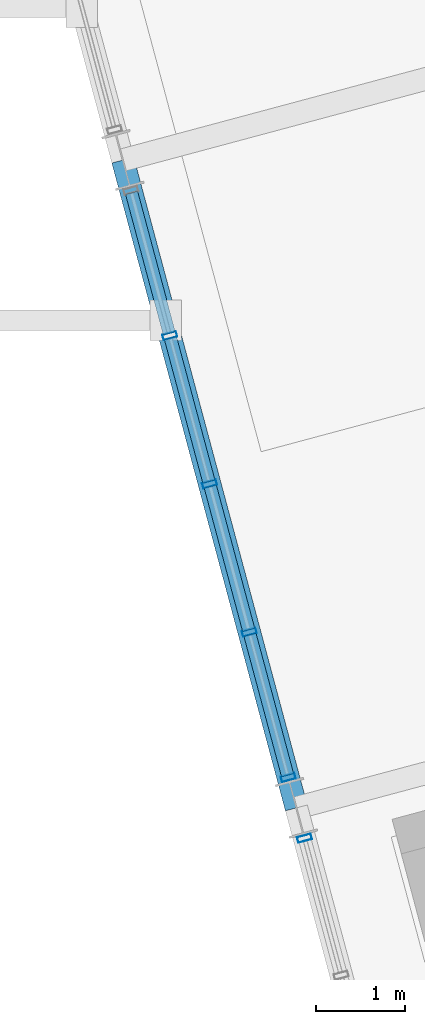
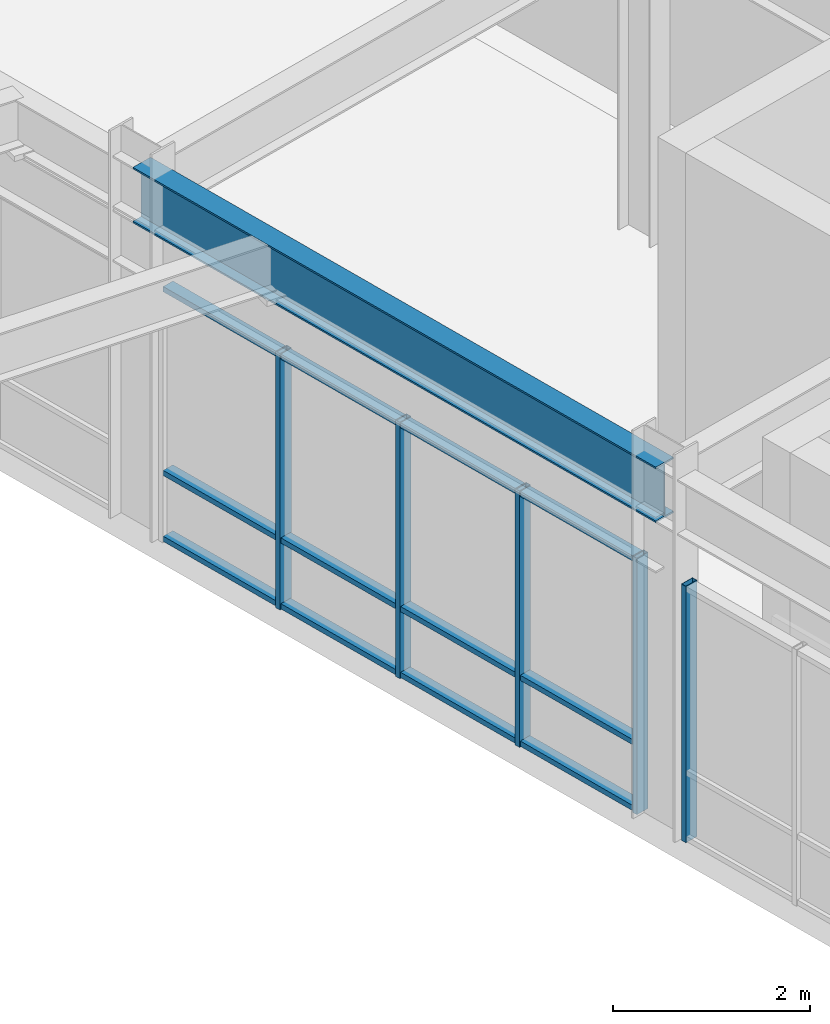
# One storey, part 33 of 104: 17 members, 1 beam, 2 elements without a shape of their own.
"""IFC4 building model written with IfcOpenShell, lengths in metres."""

import ifcopenshell
import ifcopenshell.guid

model = None  # the IFC model being written
_history = None  # IfcOwnerHistory: only IFC2X3 demands one
_inside = {}  # id of a spatial element -> (the spatial element, [elements in it])
_under = {}  # id of a project, library or spatial element -> (it, [spatial elements below it])
_declared = {}  # id of a project -> (the project, [libraries it declares])
_typed = {}  # id of a type object -> (the type object, [elements of that type])
_made_of = {}  # id of a material, layer set ... -> (it, [elements and type objects made of it])


def new_model(schema):
    """Start an empty IFC model of exactly this schema.

    Asked for "IFC4X3", IfcOpenShell would pick the latest addendum, in which some entities
    have other attributes; the version numbers below select the first issue.
    IFC2X3 requires an IfcOwnerHistory on every rooted entity: one is made here for all.
    """
    global model, _history
    if schema == "IFC4X3":
        model = ifcopenshell.file(schema_version=(4, 3, 0, 0))
    else:
        model = ifcopenshell.file(schema=schema)
    _inside.clear()
    _under.clear()
    _declared.clear()
    _typed.clear()
    _made_of.clear()
    _history = None
    if model.schema == "IFC2X3":
        org = make("IfcOrganization", Name="unknown")
        user = make(
            "IfcPersonAndOrganization",
            ThePerson=make("IfcPerson", FamilyName="unknown"),
            TheOrganization=org,
        )
        app = make(
            "IfcApplication",
            ApplicationDeveloper=org,
            Version="unknown",
            ApplicationFullName="unknown",
            ApplicationIdentifier="unknown",
        )
        _history = make(
            "IfcOwnerHistory",
            OwningUser=user,
            OwningApplication=app,
            ChangeAction="ADDED",
            CreationDate=0,
        )
    return model


def make(cls, **values):
    """One entity of the class cls with the attributes given. An attribute that is None is left unset."""
    return model.create_entity(
        cls, **{name: value for name, value in values.items() if value is not None}
    )


def rooted(cls, **values):
    """An entity with a GlobalId (a new one), such as an element, a storey or a relation."""
    return make(cls, GlobalId=ifcopenshell.guid.new(), OwnerHistory=_history, **values)


def si_unit(unit_type, name, prefix=None):
    """IfcSIUnit, for example si_unit("LENGTHUNIT", "METRE", prefix="MILLI")."""
    return make("IfcSIUnit", UnitType=unit_type, Prefix=prefix, Name=name)


def assignment(units):
    """IfcUnitAssignment: the units of a project."""
    return None if units is None else make("IfcUnitAssignment", Units=units)


def point(xyz):
    """IfcCartesianPoint."""
    return None if xyz is None else make("IfcCartesianPoint", Coordinates=xyz)


def direction(xyz):
    """IfcDirection."""
    return None if xyz is None else make("IfcDirection", DirectionRatios=xyz)


def frame(location, z_axis=None, x_axis=None):
    """IfcAxis2Placement3D, a coordinate frame: its origin and axes. An axis left out is left unset."""
    return make(
        "IfcAxis2Placement3D",
        Location=point(location),
        Axis=direction(z_axis),
        RefDirection=direction(x_axis),
    )


def frame_2d(location, x_axis=None):
    """IfcAxis2Placement2D, a coordinate frame in the plane: its origin and x axis."""
    return make(
        "IfcAxis2Placement2D", Location=point(location), RefDirection=direction(x_axis)
    )


def origin():
    """The frame at (0, 0, 0) with its axes left unset."""
    return frame((0.0, 0.0, 0.0))


def origin_2d():
    """The frame at (0, 0) in the plane with its x axis left unset."""
    return frame_2d((0.0, 0.0))


def place(relative_to, where):
    """IfcLocalPlacement: puts the frame where relative to a parent placement (None: the world)."""
    return make(
        "IfcLocalPlacement", PlacementRelTo=relative_to, RelativePlacement=where
    )


def context(
    kind, dimensions, precision=None, world=None, true_north=None, identifier=None
):
    """IfcGeometricRepresentationContext, for example the 3D "Model" context."""
    return make(
        "IfcGeometricRepresentationContext",
        ContextIdentifier=identifier,
        ContextType=kind,
        CoordinateSpaceDimension=dimensions,
        Precision=precision,
        WorldCoordinateSystem=world,
        TrueNorth=true_north,
    )


def subcontext(parent, identifier, kind, view, scale=None):
    """IfcGeometricRepresentationSubContext, for example "Body" below "Model"."""
    return make(
        "IfcGeometricRepresentationSubContext",
        ContextIdentifier=identifier,
        ContextType=kind,
        ParentContext=parent,
        TargetScale=scale,
        TargetView=view,
    )


def project(units=None, contexts=None):
    """IfcProject with its units and contexts."""
    return rooted(
        "IfcProject",
        Name="project",
        RepresentationContexts=contexts,
        UnitsInContext=assignment(units),
    )


def spatial(cls, under=None, at=None, **own):
    """A site, building, storey or space (cls), placed at a placement, below another one or the project."""
    s = rooted(cls, ObjectPlacement=at, **own)
    if under is not None:
        _under.setdefault(under.id(), (under, []))[1].append(s)
    return s


def profile(cls, at=None, kind="AREA", **sizes):
    """A parametric profile (cls). Its sizes go by their IFC names, for example OverallWidth=200.0."""
    return make(cls, ProfileType=kind, Position=at, **sizes)


def hollow_rectangle(**sizes):
    """IfcRectangleHollowProfileDef."""
    return profile("IfcRectangleHollowProfileDef", **sizes)


def i_section(**sizes):
    """IfcIShapeProfileDef."""
    return profile("IfcIShapeProfileDef", **sizes)


def extrude(swept, where, along, depth):
    """IfcExtrudedAreaSolid: the profile swept, set in the frame where, extruded along a direction by depth."""
    return make(
        "IfcExtrudedAreaSolid",
        SweptArea=swept,
        Position=where,
        ExtrudedDirection=direction(along),
        Depth=depth,
    )


def shape(context_of_items, identifier, shape_type, items):
    """IfcShapeRepresentation: the items that make up one representation, for example the "Body"."""
    return make(
        "IfcShapeRepresentation",
        ContextOfItems=context_of_items,
        RepresentationIdentifier=identifier,
        RepresentationType=shape_type,
        Items=items,
    )


def material(Name=None, Category=None):
    """IfcMaterial."""
    return make("IfcMaterial", Name=Name, Category=Category)


def layer(
    of_material, thickness, ventilated=None, Name=None, Category=None, Priority=None
):
    """IfcMaterialLayer: one layer of a wall or slab, of a material (None: an air gap)."""
    return make(
        "IfcMaterialLayer",
        Material=of_material,
        LayerThickness=thickness,
        IsVentilated=ventilated,
        Name=Name,
        Category=Category,
        Priority=Priority,
    )


def layer_set(layers, Name=None):
    """IfcMaterialLayerSet."""
    return make("IfcMaterialLayerSet", MaterialLayers=layers, LayerSetName=Name)


def material_profile(
    of_material, cross_section, Name=None, Category=None, Priority=None
):
    """IfcMaterialProfile: a cross section and its material."""
    return make(
        "IfcMaterialProfile",
        Name=Name,
        Material=of_material,
        Profile=cross_section,
        Priority=Priority,
        Category=Category,
    )


def profile_set(profiles, Name=None, composite=None):
    """IfcMaterialProfileSet."""
    return make(
        "IfcMaterialProfileSet",
        Name=Name,
        MaterialProfiles=profiles,
        CompositeProfile=composite,
    )


def made_of(thing, what):
    """Note that an element or type object is made of a material, layer set ...; save() writes the relation."""
    if what is not None:
        _made_of.setdefault(what.id(), (what, []))[1].append(thing)
    return thing


def type_object(cls, material=None, **own):
    """A type object (cls), such as IfcWallType, which elements share."""
    return made_of(rooted(cls, **own), material)


def element(
    cls,
    number,
    at=None,
    inside=None,
    cuts=None,
    type_object=None,
    material=None,
    context=None,
    identifier="Body",
    shape_type=None,
    held_by="IfcProductDefinitionShape",
    body=None,
    shapes=None,
    **own,
):
    """One element of the class cls, such as IfcWall. Its Tag is "e" and its number.

    at: its placement. inside: the storey or other place that contains it. cuts: it is an
    opening in that element (IfcRelVoidsElement). A single representation is given by context,
    identifier, shape_type and body (its items); several are given by shapes. held_by: the class
    of the entity that holds the representations. save() writes the other relations.
    """
    e = rooted(cls, Tag="e%d" % number, ObjectPlacement=at, **own)
    if body is not None:
        shapes = [shape(context, identifier, shape_type, body)]
    if shapes is not None:
        e.Representation = make(held_by, Representations=shapes)
    if inside is not None:
        _inside.setdefault(inside.id(), (inside, []))[1].append(e)
    if cuts is not None:
        rooted(
            "IfcRelVoidsElement", RelatingBuildingElement=cuts, RelatedOpeningElement=e
        )
    if type_object is not None:
        _typed.setdefault(type_object.id(), (type_object, []))[1].append(e)
    return made_of(e, material)


def aggregate(whole, parts):
    """IfcRelAggregates: a whole, such as a stair, and the parts it consists of."""
    return rooted("IfcRelAggregates", RelatingObject=whole, RelatedObjects=parts)


def save(model, path):
    """Write the relations noted so far, then the file.

    IfcRelAggregates (storeys below a building ...), IfcRelContainedInSpatialStructure (elements
    in a storey), IfcRelDefinesByType, IfcRelAssociatesMaterial and IfcRelDeclares: one each for
    every whole, place, type object, material and project.
    """
    for whole, parts in _under.values():
        aggregate(whole, parts)
    for where, things in _inside.values():
        rooted(
            "IfcRelContainedInSpatialStructure",
            RelatedElements=things,
            RelatingStructure=where,
        )
    for kind, things in _typed.values():
        rooted("IfcRelDefinesByType", RelatedObjects=things, RelatingType=kind)
    for what, things in _made_of.values():
        rooted("IfcRelAssociatesMaterial", RelatedObjects=things, RelatingMaterial=what)
    for by, libraries in _declared.values():
        rooted("IfcRelDeclares", RelatingContext=by, RelatedDefinitions=libraries)
    model.write(path)


model = new_model("IFC4")

# Units and contexts
model_context = context("Model", 3, precision=1e-05, world=origin(), true_north=direction((0.0, 1.0)))
body_context = subcontext(model_context, "Body", "Model", "MODEL_VIEW")
ifc_project = project(units=[si_unit("LENGTHUNIT", "METRE"), si_unit("AREAUNIT", "SQUARE_METRE"), si_unit("VOLUMEUNIT", "CUBIC_METRE"), si_unit("PLANEANGLEUNIT", "RADIAN"), si_unit("MASSUNIT", "GRAM", prefix="KILO")], contexts=[model_context])

# Site, building, storey
site_placement = place(None, origin())
site = spatial("IfcSite", under=ifc_project, at=site_placement, CompositionType="ELEMENT")
building_placement = place(site_placement, origin())
building = spatial("IfcBuilding", under=site, at=building_placement, Name="Ventoquebrada Cableway Terminal", CompositionType="ELEMENT")
storey_placement = place(building_placement, frame((0.0, 0.0, 4.800048828125)))
storey = spatial("IfcBuildingStorey", under=building, at=storey_placement, Name="L01", CompositionType="ELEMENT", Elevation=4.800048828125)

# Beam
ifc_material_1 = material(Name="Steel ASTM A992 Grade 50", Category="steel")
ifc_material_profile_1 = material_profile(ifc_material_1, i_section(OverallWidth=0.25390625, OverallDepth=0.68798828125, WebThickness=0.01318359375, FlangeThickness=0.02099609375, at=origin_2d()), Name="W27X102")
ifc_profile_set_1 = profile_set([ifc_material_profile_1], Name="Steel ASTM A992 Grade 50")
beam_type = type_object("IfcBeamType", Name="BM-ST04", PredefinedType="BEAM", material=ifc_profile_set_1)
beam_placement = place(storey_placement, frame((50.553955078125, 75.096923828125, 4.130859375), z_axis=(-0.258801172479, 0.965930615067, 0.0), x_axis=(-0.965930615067, -0.258801172479, 0.0)))
element("IfcBeam", 1, at=beam_placement, inside=storey, type_object=beam_type, Name="Splayed station girder FBM-1018", PredefinedType="BEAM", context=body_context, shape_type="SweptSolid", body=[
    extrude(i_section(OverallWidth=0.25390625, OverallDepth=0.68798828125, WebThickness=0.01318359375, FlangeThickness=0.02099609375, at=origin_2d()), origin(), (0.0, 0.0, 1.0), 7.499755859375),
])

# Curtain wall, member
ifc_material_2 = material(Name="Anodized thermally-broken aluminium", Category="aluminium")
ifc_layer_1 = layer(ifc_material_2, 0.159912109375)
ifc_layer_set_1 = layer_set([ifc_layer_1], Name="Anodized thermally-broken aluminium")
curtain_wall_type_1 = type_object("IfcCurtainWallType", Name="CW-T38", PredefinedType="USERDEFINED", material=ifc_layer_set_1)
curtain_wall_1_placement = place(storey_placement, origin())
curtain_wall_1 = element("IfcCurtainWall", 2, at=curtain_wall_1_placement, inside=storey, type_object=curtain_wall_type_1, Name="Unitised glazed curtain wall CW-093", ObjectType="UNITISED CURTAIN WALL", PredefinedType="USERDEFINED")
ifc_material_profile_2 = material_profile(ifc_material_2, hollow_rectangle(XDim=0.06494140625, YDim=0.159912109375, WallThickness=0.00390625, at=origin_2d()), Name="CW-MUL-65X160")
ifc_profile_set_2 = profile_set([ifc_material_profile_2], Name="Anodized thermally-broken aluminium")
member_type_1 = type_object("IfcMemberType", Name="CWM-01", PredefinedType="MULLION", material=ifc_profile_set_2)
member_1_placement = place(storey_placement, frame((50.64501953125, 74.758056640625, -0.008056640625), z_axis=(0.0, 0.0, 1.0), x_axis=(0.258785327773, -0.96593486019, 0.0)))
member_1 = element("IfcMember", 3, at=member_1_placement, type_object=member_type_1, Name="Curtain wall mullion FML-0454", PredefinedType="MULLION", context=body_context, shape_type="SweptSolid", body=[
    extrude(hollow_rectangle(XDim=0.06494140625, YDim=0.159912109375, WallThickness=0.00390625, at=origin_2d()), origin(), (0.0, 0.0, 1.0), 3.173095703125),
])
aggregate(curtain_wall_1, [member_1])

# Curtain wall, members
ifc_layer_2 = layer(ifc_material_2, 0.159912109375)
ifc_layer_set_2 = layer_set([ifc_layer_2], Name="Anodized thermally-broken aluminium")
curtain_wall_type_2 = type_object("IfcCurtainWallType", Name="CW-T39", PredefinedType="USERDEFINED", material=ifc_layer_set_2)
curtain_wall_2_placement = place(storey_placement, origin())
curtain_wall_2 = element("IfcCurtainWall", 4, at=curtain_wall_2_placement, inside=storey, type_object=curtain_wall_type_2, Name="Unitised glazed curtain wall CW-094", ObjectType="UNITISED CURTAIN WALL", PredefinedType="USERDEFINED")
member_2_placement = place(storey_placement, frame((49.138916015625, 80.376953125, -0.008056640625), z_axis=(0.0, 0.0, 1.0), x_axis=(0.258734751187, -0.965948408834, 0.0)))
member_2 = element("IfcMember", 5, at=member_2_placement, type_object=member_type_1, Name="Curtain wall mullion FML-0459", PredefinedType="MULLION", context=body_context, shape_type="SweptSolid", body=[
    extrude(hollow_rectangle(XDim=0.06494140625, YDim=0.159912109375, WallThickness=0.00390625, at=origin_2d()), origin(), (0.0, 0.0, 1.0), 3.173095703125),
])
member_3_placement = place(storey_placement, frame((49.583984375, 78.718994140625, -0.008056640625), z_axis=(0.0, 0.0, 1.0), x_axis=(0.258734751187, -0.965948408834, 0.0)))
member_3 = element("IfcMember", 6, at=member_3_placement, type_object=member_type_1, Name="Curtain wall mullion FML-0460", PredefinedType="MULLION", context=body_context, shape_type="SweptSolid", body=[
    extrude(hollow_rectangle(XDim=0.06494140625, YDim=0.159912109375, WallThickness=0.00390625, at=origin_2d()), origin(), (0.0, 0.0, 1.0), 3.173095703125),
])
member_4_placement = place(storey_placement, frame((50.028076171875, 77.06103515625, -0.008056640625), z_axis=(0.0, 0.0, 1.0), x_axis=(0.258734751187, -0.965948408834, 0.0)))
member_4 = element("IfcMember", 7, at=member_4_placement, type_object=member_type_1, Name="Curtain wall mullion FML-0461", PredefinedType="MULLION", context=body_context, shape_type="SweptSolid", body=[
    extrude(hollow_rectangle(XDim=0.06494140625, YDim=0.159912109375, WallThickness=0.00390625, at=origin_2d()), origin(), (0.0, 0.0, 1.0), 3.173095703125),
])
member_5_placement = place(storey_placement, frame((50.462890625, 75.43603515625, -0.008056640625), z_axis=(0.0, 0.0, 1.0), x_axis=(0.258734751187, -0.965948408834, 0.0)))
member_5 = element("IfcMember", 8, at=member_5_placement, type_object=member_type_1, Name="Curtain wall mullion FML-0462", PredefinedType="MULLION", context=body_context, shape_type="SweptSolid", body=[
    extrude(hollow_rectangle(XDim=0.06494140625, YDim=0.159912109375, WallThickness=0.00390625, at=origin_2d()), origin(), (0.0, 0.0, 1.0), 3.173095703125),
])
ifc_material_profile_3 = material_profile(ifc_material_2, hollow_rectangle(XDim=0.06494140625, YDim=0.139892578125, WallThickness=0.00390625, at=origin_2d()), Name="CW-TRN-65X140")
ifc_profile_set_3 = profile_set([ifc_material_profile_3], Name="Anodized thermally-broken aluminium")
member_type_2 = type_object("IfcMemberType", Name="CWT-01", PredefinedType="USERDEFINED", material=ifc_profile_set_3)
member_6_placement = place(storey_placement, frame((48.7109375, 81.97607421875, 0.034912109375), z_axis=(0.258773577288, -0.965938008206, 0.0), x_axis=(0.0, 0.0, 1.0)))
member_6 = element("IfcMember", 9, at=member_6_placement, type_object=member_type_2, Name="Curtain wall transom FTR-1361", ObjectType="TRANSOM", PredefinedType="USERDEFINED", context=body_context, shape_type="SweptSolid", body=[
    extrude(hollow_rectangle(XDim=0.06494140625, YDim=0.139892578125, WallThickness=0.00390625, at=origin_2d()), origin(), (0.0, 0.0, 1.0), 1.62744140625),
])
member_7_placement = place(storey_placement, frame((48.7109375, 81.97607421875, 0.849853515625), z_axis=(0.258773577288, -0.965938008206, 0.0), x_axis=(0.0, 0.0, 1.0)))
member_7 = element("IfcMember", 10, at=member_7_placement, type_object=member_type_2, Name="Curtain wall transom FTR-1362", ObjectType="TRANSOM", PredefinedType="USERDEFINED", context=body_context, shape_type="SweptSolid", body=[
    extrude(hollow_rectangle(XDim=0.06494140625, YDim=0.139892578125, WallThickness=0.00390625, at=origin_2d()), origin(), (0.0, 0.0, 1.0), 1.62744140625),
])
member_8_placement = place(storey_placement, frame((48.7109375, 81.97607421875, 3.125), z_axis=(0.258773577288, -0.965938008206, 0.0), x_axis=(0.0, 0.0, 1.0)))
member_8 = element("IfcMember", 11, at=member_8_placement, type_object=member_type_2, Name="Curtain wall transom FTR-1363", ObjectType="TRANSOM", PredefinedType="USERDEFINED", context=body_context, shape_type="SweptSolid", body=[
    extrude(hollow_rectangle(XDim=0.06494140625, YDim=0.139892578125, WallThickness=0.00390625, at=origin_2d()), origin(), (0.0, 0.0, 1.0), 1.62744140625),
])
member_9_placement = place(storey_placement, frame((49.14599609375, 80.35107421875, 0.034912109375), z_axis=(0.258750774222, -0.96594411683, 0.0), x_axis=(0.0, 0.0, 1.0)))
member_9 = element("IfcMember", 12, at=member_9_placement, type_object=member_type_2, Name="Curtain wall transom FTR-1364", ObjectType="TRANSOM", PredefinedType="USERDEFINED", context=body_context, shape_type="SweptSolid", body=[
    extrude(hollow_rectangle(XDim=0.06494140625, YDim=0.139892578125, WallThickness=0.00390625, at=origin_2d()), origin(), (0.0, 0.0, 1.0), 1.66162109375),
])
member_10_placement = place(storey_placement, frame((49.14599609375, 80.35107421875, 0.849853515625), z_axis=(0.258750774222, -0.96594411683, 0.0), x_axis=(0.0, 0.0, 1.0)))
member_10 = element("IfcMember", 13, at=member_10_placement, type_object=member_type_2, Name="Curtain wall transom FTR-1365", ObjectType="TRANSOM", PredefinedType="USERDEFINED", context=body_context, shape_type="SweptSolid", body=[
    extrude(hollow_rectangle(XDim=0.06494140625, YDim=0.139892578125, WallThickness=0.00390625, at=origin_2d()), origin(), (0.0, 0.0, 1.0), 1.66162109375),
])
member_11_placement = place(storey_placement, frame((49.14599609375, 80.35107421875, 3.125), z_axis=(0.258750774222, -0.96594411683, 0.0), x_axis=(0.0, 0.0, 1.0)))
member_11 = element("IfcMember", 14, at=member_11_placement, type_object=member_type_2, Name="Curtain wall transom FTR-1366", ObjectType="TRANSOM", PredefinedType="USERDEFINED", context=body_context, shape_type="SweptSolid", body=[
    extrude(hollow_rectangle(XDim=0.06494140625, YDim=0.139892578125, WallThickness=0.00390625, at=origin_2d()), origin(), (0.0, 0.0, 1.0), 1.66162109375),
])
member_12_placement = place(storey_placement, frame((49.591064453125, 78.69189453125, 0.034912109375), z_axis=(0.258750774222, -0.96594411683, 0.0), x_axis=(0.0, 0.0, 1.0)))
member_12 = element("IfcMember", 15, at=member_12_placement, type_object=member_type_2, Name="Curtain wall transom FTR-1367", ObjectType="TRANSOM", PredefinedType="USERDEFINED", context=body_context, shape_type="SweptSolid", body=[
    extrude(hollow_rectangle(XDim=0.06494140625, YDim=0.139892578125, WallThickness=0.00390625, at=origin_2d()), origin(), (0.0, 0.0, 1.0), 1.66162109375),
])
member_13_placement = place(storey_placement, frame((49.591064453125, 78.69189453125, 0.849853515625), z_axis=(0.258750774222, -0.96594411683, 0.0), x_axis=(0.0, 0.0, 1.0)))
member_13 = element("IfcMember", 16, at=member_13_placement, type_object=member_type_2, Name="Curtain wall transom FTR-1368", ObjectType="TRANSOM", PredefinedType="USERDEFINED", context=body_context, shape_type="SweptSolid", body=[
    extrude(hollow_rectangle(XDim=0.06494140625, YDim=0.139892578125, WallThickness=0.00390625, at=origin_2d()), origin(), (0.0, 0.0, 1.0), 1.66162109375),
])
member_14_placement = place(storey_placement, frame((49.591064453125, 78.69189453125, 3.125), z_axis=(0.258750774222, -0.96594411683, 0.0), x_axis=(0.0, 0.0, 1.0)))
member_14 = element("IfcMember", 17, at=member_14_placement, type_object=member_type_2, Name="Curtain wall transom FTR-1369", ObjectType="TRANSOM", PredefinedType="USERDEFINED", context=body_context, shape_type="SweptSolid", body=[
    extrude(hollow_rectangle(XDim=0.06494140625, YDim=0.139892578125, WallThickness=0.00390625, at=origin_2d()), origin(), (0.0, 0.0, 1.0), 1.66162109375),
])
member_15_placement = place(storey_placement, frame((50.034912109375, 77.033935546875, 0.034912109375), z_axis=(0.258773577288, -0.965938008206, 0.0), x_axis=(0.0, 0.0, 1.0)))
member_15 = element("IfcMember", 18, at=member_15_placement, type_object=member_type_2, Name="Curtain wall transom FTR-1370", ObjectType="TRANSOM", PredefinedType="USERDEFINED", context=body_context, shape_type="SweptSolid", body=[
    extrude(hollow_rectangle(XDim=0.06494140625, YDim=0.139892578125, WallThickness=0.00390625, at=origin_2d()), origin(), (0.0, 0.0, 1.0), 1.62744140625),
])
member_16_placement = place(storey_placement, frame((50.034912109375, 77.033935546875, 0.849853515625), z_axis=(0.258773577288, -0.965938008206, 0.0), x_axis=(0.0, 0.0, 1.0)))
member_16 = element("IfcMember", 19, at=member_16_placement, type_object=member_type_2, Name="Curtain wall transom FTR-1371", ObjectType="TRANSOM", PredefinedType="USERDEFINED", context=body_context, shape_type="SweptSolid", body=[
    extrude(hollow_rectangle(XDim=0.06494140625, YDim=0.139892578125, WallThickness=0.00390625, at=origin_2d()), origin(), (0.0, 0.0, 1.0), 1.62744140625),
])
member_17_placement = place(storey_placement, frame((50.034912109375, 77.033935546875, 3.125), z_axis=(0.258773577288, -0.965938008206, 0.0), x_axis=(0.0, 0.0, 1.0)))
member_17 = element("IfcMember", 20, at=member_17_placement, type_object=member_type_2, Name="Curtain wall transom FTR-1372", ObjectType="TRANSOM", PredefinedType="USERDEFINED", context=body_context, shape_type="SweptSolid", body=[
    extrude(hollow_rectangle(XDim=0.06494140625, YDim=0.139892578125, WallThickness=0.00390625, at=origin_2d()), origin(), (0.0, 0.0, 1.0), 1.62744140625),
])
aggregate(curtain_wall_2, [member_2, member_3, member_4, member_5, member_6, member_7, member_8, member_9, member_10, member_11, member_12, member_13, member_14, member_15, member_16, member_17])

save(model, "model.ifc")
